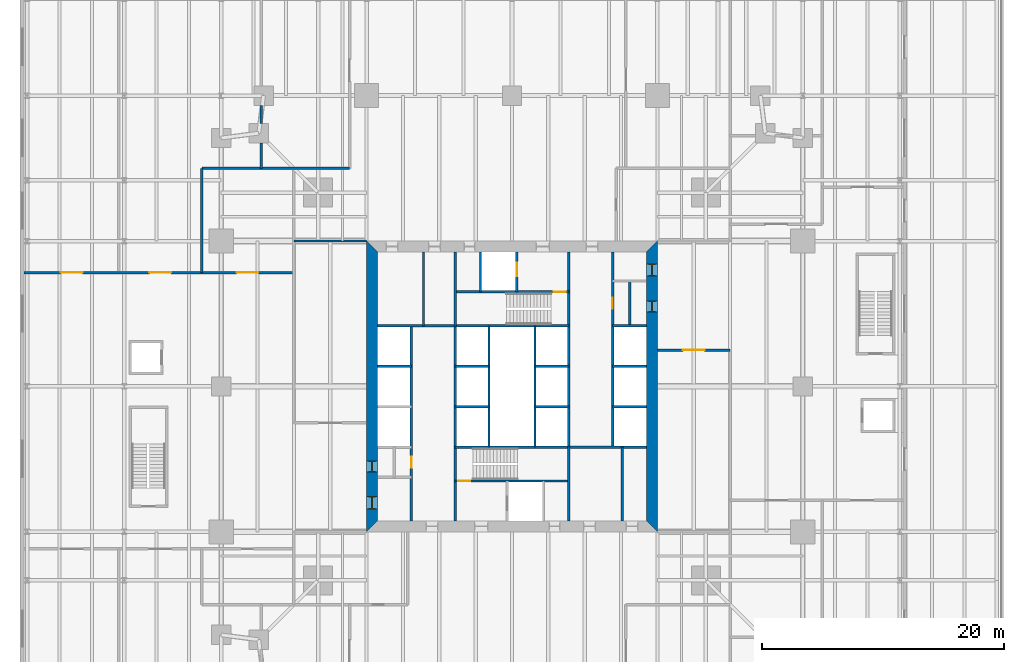
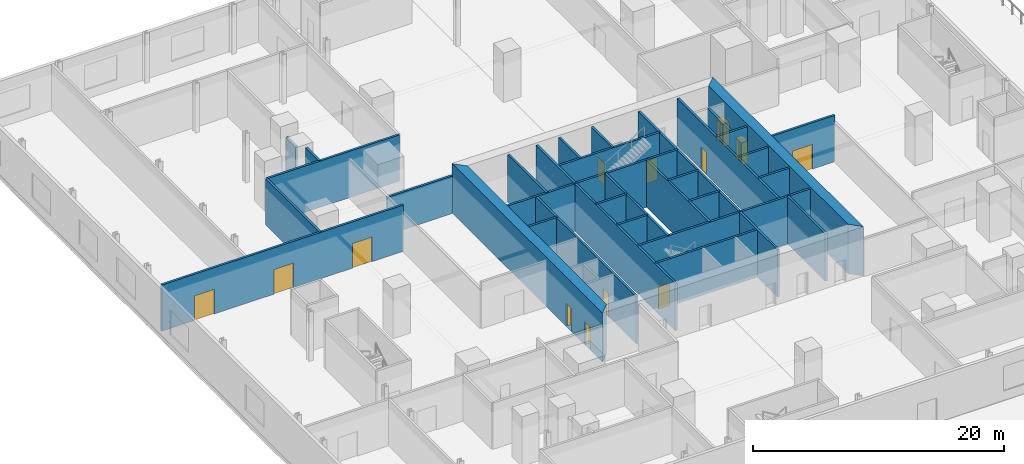
# One storey, part 12 of 18: 34 walls, 13 doors, 13 openings.
"""IFC4 building model written with IfcOpenShell, lengths in metres."""

from ifc_helpers import new_model, si_unit, direction, frame, frame_2d, origin, place, context, subcontext, project, spatial, polyline, rectangle, outline, extrude, material, layer, layer_set, type_object, element, fill, save


model = new_model("IFC4")

# Units and contexts
model_context = context("Model", 3, precision=1e-05, world=origin(), true_north=direction((0.0, 1.0)))
body_context = subcontext(model_context, "Body", "Model", "MODEL_VIEW")
ifc_project = project(units=[si_unit("LENGTHUNIT", "METRE"), si_unit("AREAUNIT", "SQUARE_METRE"), si_unit("VOLUMEUNIT", "CUBIC_METRE"), si_unit("PLANEANGLEUNIT", "RADIAN"), si_unit("MASSUNIT", "GRAM", prefix="KILO")], contexts=[model_context])

# Site, building, storey
site_placement = place(None, origin())
site = spatial("IfcSite", under=ifc_project, at=site_placement, CompositionType="ELEMENT")
building_placement = place(site_placement, origin())
building = spatial("IfcBuilding", under=site, at=building_placement, Name="Fenwick Lantern Interchange", CompositionType="ELEMENT")
storey_placement = place(building_placement, frame((0.0, 0.0, 11.800048828125)))
storey = spatial("IfcBuildingStorey", under=building, at=storey_placement, Name="L02", CompositionType="ELEMENT", Elevation=11.800048828125)

# Wall, opening, door
ifc_material_1 = material(Name="Concrete masonry ASTM C90 Grade N", Category="masonry")
ifc_layer_1 = layer(ifc_material_1, 0.199951171875)
ifc_layer_set_1 = layer_set([ifc_layer_1], Name="Concrete masonry ASTM C90 Grade N")
wall_type_1 = type_object("IfcWallType", Name="CORE PARTITION 200", PredefinedType="PARTITIONING", material=ifc_layer_set_1)
wall_1_placement = place(storey_placement, frame((16.699951171875, 13.89990234375, 0.0), z_axis=(0.0, 0.0, 1.0), x_axis=(0.0, 1.0, 0.0)))
wall_1 = element("IfcWall", 1, at=wall_1_placement, inside=storey, type_object=wall_type_1, Name="L02/W/CORES/a", PredefinedType="PARTITIONING", context=body_context, shape_type="SweptSolid", body=[
    extrude(rectangle(XDim=16.10009765625, YDim=0.199951171875, at=frame_2d((8.050048828125, 0.0))), origin(), (0.0, 0.0, 1.0), 4.599853515625),
])
opening_1_placement = place(wall_1_placement, frame((4.39990234375, 0.0, 0.0)))
opening_1 = element("IfcOpeningElement", 2, at=opening_1_placement, cuts=wall_1, Name="Opening L02-D013", PredefinedType="OPENING", context=body_context, shape_type="SweptSolid", body=[
    extrude(rectangle(XDim=0.89990234375, YDim=2.199951171875, at=frame_2d((0.449951171875, 1.10009765625))), frame((0.0, 0.10986328125, 0.0), z_axis=(0.0, -1.0, 0.0), x_axis=(1.0, 0.0, 0.0)), (0.0, 0.0, 1.0), 0.219970703125),
])
ifc_material_2 = material(Name="Steel door and frame", Category="steel")
door_type_1 = type_object("IfcDoorType", Name="SERVICE DOOR 900 X 2200", OperationType="SINGLE_SWING_LEFT", PredefinedType="DOOR", material=ifc_material_2)
door_1_placement = place(opening_1_placement, origin())
door_1 = element("IfcDoor", 3, at=door_1_placement, inside=storey, type_object=door_type_1, Name="Service door", OperationType="SINGLE_SWING_LEFT", OverallHeight=2.199951171875, OverallWidth=0.89990234375, PredefinedType="DOOR", context=body_context, shape_type="SweptSolid", body=[
    extrude(rectangle(XDim=0.89990234375, YDim=2.199951171875, at=frame_2d((0.449951171875, 1.10009765625))), frame((0.0, 0.02490234375, 0.0), z_axis=(0.0, -1.0, 0.0), x_axis=(1.0, 0.0, 0.0)), (0.0, 0.0, 1.0), 0.050048828125),
])
fill(opening_1, door_1)

# Walls
for number, where, z_axis, x_axis, name in (
    (4, (13.89990234375, 26.666748046875, 0.0), (0.0, 0.0, 1.0), (1.0, 0.0, 0.0), "L02/W/CORES/d2"),
    (5, (20.300048828125, 23.333251953125, 0.0), (0.0, 0.0, 1.0), (1.0, 0.0, 0.0), "L02/W/CORES/e1"),
    (6, (20.300048828125, 26.666748046875, 0.0), (0.0, 0.0, 1.0), (1.0, 0.0, 0.0), "L02/W/CORES/e2"),
):
    element("IfcWall", number, at=place(storey_placement, frame(where, z_axis=z_axis, x_axis=x_axis)), inside=storey, type_object=wall_type_1, Name=name, PredefinedType="PARTITIONING", context=body_context, shape_type="SweptSolid", body=[
        extrude(rectangle(XDim=2.800048828125, YDim=0.199951171875, at=frame_2d((1.39990234375, 0.0))), origin(), (0.0, 0.0, 1.0), 4.599853515625),
    ])
wall_2_placement = place(storey_placement, frame((23.10009765625, 20.0, 0.0), z_axis=(0.0, 0.0, 1.0), x_axis=(0.0, 1.0, 0.0)))
element("IfcWall", 7, at=wall_2_placement, inside=storey, type_object=wall_type_1, Name="L02/W/CORES/e3", PredefinedType="PARTITIONING", context=body_context, shape_type="SweptSolid", body=[
    extrude(rectangle(XDim=10.0, YDim=0.199951171875, at=frame_2d((5.0, 0.0))), origin(), (0.0, 0.0, 1.0), 4.599853515625),
])
wall_3_placement = place(storey_placement, frame((34.10009765625, 13.89990234375, 0.0), z_axis=(0.0, 0.0, 1.0), x_axis=(0.0, 1.0, 0.0)))
element("IfcWall", 8, at=wall_3_placement, inside=storey, type_object=wall_type_1, Name="L02/W/CORES/i2", PredefinedType="PARTITIONING", context=body_context, shape_type="SweptSolid", body=[
    extrude(rectangle(XDim=6.10009765625, YDim=0.199951171875, at=frame_2d((3.050048828125, 0.0))), origin(), (0.0, 0.0, 1.0), 4.599853515625),
])

# Wall, opening, door
wall_4_placement = place(storey_placement, frame((33.300048828125, 36.10009765625, 0.0), z_axis=(0.0, 0.0, 1.0), x_axis=(0.0, -1.0, 0.0)))
wall_4 = element("IfcWall", 9, at=wall_4_placement, inside=storey, type_object=wall_type_1, Name="L02/W/COREN/a", PredefinedType="PARTITIONING", context=body_context, shape_type="SweptSolid", body=[
    extrude(rectangle(XDim=16.10009765625, YDim=0.199951171875, at=frame_2d((8.050048828125, 0.0))), origin(), (0.0, 0.0, 1.0), 4.599853515625),
])
opening_2_placement = place(wall_4_placement, frame((3.800048828125, 0.0, 0.0)))
opening_2 = element("IfcOpeningElement", 10, at=opening_2_placement, cuts=wall_4, Name="Opening L02-D022", PredefinedType="OPENING", context=body_context, shape_type="SweptSolid", body=[
    extrude(rectangle(XDim=0.89990234375, YDim=2.199951171875, at=frame_2d((0.449951171875, 1.10009765625))), frame((0.0, 0.10986328125, 0.0), z_axis=(0.0, -1.0, 0.0), x_axis=(1.0, 0.0, 0.0)), (0.0, 0.0, 1.0), 0.219970703125),
])
door_2_placement = place(opening_2_placement, origin())
door_2 = element("IfcDoor", 11, at=door_2_placement, inside=storey, type_object=door_type_1, Name="Service door", OperationType="SINGLE_SWING_LEFT", OverallHeight=2.199951171875, OverallWidth=0.89990234375, PredefinedType="DOOR", context=body_context, shape_type="SweptSolid", body=[
    extrude(rectangle(XDim=0.89990234375, YDim=2.199951171875, at=frame_2d((0.449951171875, 1.10009765625))), frame((0.0, 0.02490234375, 0.0), z_axis=(0.0, -1.0, 0.0), x_axis=(1.0, 0.0, 0.0)), (0.0, 0.0, 1.0), 0.050048828125),
])
fill(opening_2, door_2)

# Walls
for number, where, z_axis, x_axis, name in (
    (12, (36.10009765625, 30.0, 0.0), (0.0, 0.0, 1.0), (-1.0, 0.0, 0.0), "L02/W/COREN/c2"),
    (13, (36.10009765625, 26.666748046875, 0.0), (0.0, 0.0, 1.0), (-1.0, 0.0, 0.0), "L02/W/COREN/d1"),
    (14, (36.10009765625, 23.333251953125, 0.0), (0.0, 0.0, 1.0), (-1.0, 0.0, 0.0), "L02/W/COREN/d2"),
    (15, (29.699951171875, 26.666748046875, 0.0), (0.0, 0.0, 1.0), (-1.0, 0.0, 0.0), "L02/W/COREN/e1"),
    (16, (29.699951171875, 23.333251953125, 0.0), (0.0, 0.0, 1.0), (-1.0, 0.0, 0.0), "L02/W/COREN/e2"),
):
    element("IfcWall", number, at=place(storey_placement, frame(where, z_axis=z_axis, x_axis=x_axis)), inside=storey, type_object=wall_type_1, Name=name, PredefinedType="PARTITIONING", context=body_context, shape_type="SweptSolid", body=[
        extrude(rectangle(XDim=2.800048828125, YDim=0.199951171875, at=frame_2d((1.39990234375, 0.0))), origin(), (0.0, 0.0, 1.0), 4.599853515625),
    ])
wall_5_placement = place(storey_placement, frame((26.89990234375, 30.0, 0.0), z_axis=(0.0, 0.0, 1.0), x_axis=(0.0, -1.0, 0.0)))
element("IfcWall", 17, at=wall_5_placement, inside=storey, type_object=wall_type_1, Name="L02/W/COREN/e3", PredefinedType="PARTITIONING", context=body_context, shape_type="SweptSolid", body=[
    extrude(rectangle(XDim=10.0, YDim=0.199951171875, at=frame_2d((5.0, 0.0))), origin(), (0.0, 0.0, 1.0), 4.599853515625),
])

# Wall, opening, door
wall_6_placement = place(storey_placement, frame((25.39990234375, 36.10009765625, 0.0), z_axis=(0.0, 0.0, 1.0), x_axis=(0.0, -1.0, 0.0)))
wall_6 = element("IfcWall", 18, at=wall_6_placement, inside=storey, type_object=wall_type_1, Name="L02/W/COREN/h1", PredefinedType="PARTITIONING", context=body_context, shape_type="SweptSolid", body=[
    extrude(rectangle(XDim=3.300048828125, YDim=0.199951171875, at=frame_2d((1.64990234375, 0.0))), origin(), (0.0, 0.0, 1.0), 4.599853515625),
])
opening_3_placement = place(wall_6_placement, frame((0.89990234375, 0.0, 0.0)))
opening_3 = element("IfcOpeningElement", 19, at=opening_3_placement, cuts=wall_6, Name="Opening LD-FL2", PredefinedType="OPENING", context=body_context, shape_type="SweptSolid", body=[
    extrude(rectangle(XDim=1.10009765625, YDim=2.199951171875, at=frame_2d((0.550048828125, 1.10009765625))), frame((0.0, 0.10986328125, 0.0), z_axis=(0.0, -1.0, 0.0), x_axis=(1.0, 0.0, 0.0)), (0.0, 0.0, 1.0), 0.219970703125),
])
door_type_2 = type_object("IfcDoorType", Name="LIFT LANDING DOOR 1100 X 2200", OperationType="DOUBLE_DOOR_SLIDING", PredefinedType="DOOR", material=ifc_material_2)
door_3_placement = place(opening_3_placement, origin())
door_3 = element("IfcDoor", 20, at=door_3_placement, inside=storey, type_object=door_type_2, Name="Lift landing door FL2", OperationType="DOUBLE_DOOR_SLIDING", OverallHeight=2.199951171875, OverallWidth=1.10009765625, PredefinedType="DOOR", context=body_context, shape_type="SweptSolid", body=[
    extrude(rectangle(XDim=1.10009765625, YDim=2.199951171875, at=frame_2d((0.550048828125, 1.10009765625))), frame((0.0, 0.02490234375, 0.0), z_axis=(0.0, -1.0, 0.0), x_axis=(1.0, 0.0, 0.0)), (0.0, 0.0, 1.0), 0.050048828125),
])
fill(opening_3, door_3)

# Walls
wall_7_placement = place(storey_placement, frame((22.39990234375, 36.10009765625, 0.0), z_axis=(0.0, 0.0, 1.0), x_axis=(0.0, -1.0, 0.0)))
element("IfcWall", 21, at=wall_7_placement, inside=storey, type_object=wall_type_1, Name="L02/W/COREN/h2", PredefinedType="PARTITIONING", context=body_context, shape_type="SweptSolid", body=[
    extrude(rectangle(XDim=3.300048828125, YDim=0.199951171875, at=frame_2d((1.64990234375, 0.0))), origin(), (0.0, 0.0, 1.0), 4.599853515625),
])
wall_8_placement = place(storey_placement, frame((17.699951171875, 36.10009765625, 0.0), z_axis=(0.0, 0.0, 1.0), x_axis=(0.0, -1.0, 0.0)))
element("IfcWall", 22, at=wall_8_placement, inside=storey, type_object=wall_type_1, Name="L02/W/COREN/i2", PredefinedType="PARTITIONING", context=body_context, shape_type="SweptSolid", body=[
    extrude(rectangle(XDim=6.10009765625, YDim=0.199951171875, at=frame_2d((3.050048828125, 0.0))), origin(), (0.0, 0.0, 1.0), 4.599853515625),
])
wall_9_placement = place(storey_placement, frame((34.699951171875, 33.699951171875, 0.0), z_axis=(0.0, 0.0, 1.0), x_axis=(0.0, -1.0, 0.0)))
element("IfcWall", 23, at=wall_9_placement, inside=storey, type_object=wall_type_1, Name="L02/W/COREN/px", PredefinedType="PARTITIONING", context=body_context, shape_type="SweptSolid", body=[
    extrude(rectangle(XDim=3.699951171875, YDim=0.199951171875, at=frame_2d((1.85009765625, 0.0))), origin(), (0.0, 0.0, 1.0), 4.599853515625),
])

# Wall, openings, doors
ifc_material_3 = material(Name="Concrete f'c 70 MPa", Category="concrete")
ifc_layer_2 = layer(ifc_material_3, 0.89990234375)
ifc_layer_set_2 = layer_set([ifc_layer_2], Name="CORE WALL 900")
wall_type_2 = type_object("IfcWallType", Name="CORE WALL 900", PredefinedType="SHEAR", material=ifc_layer_set_2)
wall_10_placement = place(storey_placement, frame((36.550048828125, 13.89990234375, 0.0), z_axis=(0.0, 0.0, 1.0), x_axis=(0.0, 1.0, 0.0)))
wall_10 = element("IfcWall", 24, at=wall_10_placement, inside=storey, type_object=wall_type_2, Name="L02/CORE/E", PredefinedType="SHEAR", context=body_context, shape_type="SweptSolid", body=[
    extrude(outline(polyline([(-0.89990234375, -0.449951171875), (23.10009765625, -0.449951171875), (22.199951171875, 0.449951171875), (0.0, 0.449951171875), (-0.89990234375, -0.449951171875)])), origin(), (0.0, 0.0, 1.0), 4.800048828125),
])
opening_4_placement = place(wall_10_placement, frame((20.199951171875, 0.0, 0.0)))
opening_4 = element("IfcOpeningElement", 25, at=opening_4_placement, cuts=wall_10, Name="Opening L02-D021", PredefinedType="OPENING", context=body_context, shape_type="SweptSolid", body=[
    extrude(rectangle(XDim=1.0, YDim=2.199951171875, at=frame_2d((0.5, 1.10009765625))), frame((0.0, 0.4599609375, 0.0), z_axis=(0.0, -1.0, 0.0), x_axis=(1.0, 0.0, 0.0)), (0.0, 0.0, 1.0), 0.919921875),
])
opening_5_placement = place(wall_10_placement, frame((17.25, 0.0, 0.0)))
opening_5 = element("IfcOpeningElement", 26, at=opening_5_placement, cuts=wall_10, Name="Opening L02-D023", PredefinedType="OPENING", context=body_context, shape_type="SweptSolid", body=[
    extrude(rectangle(XDim=0.89990234375, YDim=2.199951171875, at=frame_2d((0.449951171875, 1.10009765625))), frame((0.0, 0.4599609375, 0.0), z_axis=(0.0, -1.0, 0.0), x_axis=(1.0, 0.0, 0.0)), (0.0, 0.0, 1.0), 0.919921875),
])
door_type_3 = type_object("IfcDoorType", Name="SERVICE DOOR 1000 X 2200", OperationType="SINGLE_SWING_LEFT", PredefinedType="DOOR", material=ifc_material_2)
door_4_placement = place(opening_4_placement, origin())
door_4 = element("IfcDoor", 27, at=door_4_placement, inside=storey, type_object=door_type_3, Name="Service door", OperationType="SINGLE_SWING_LEFT", OverallHeight=2.199951171875, OverallWidth=1.0, PredefinedType="DOOR", context=body_context, shape_type="SweptSolid", body=[
    extrude(rectangle(XDim=1.0, YDim=2.199951171875, at=frame_2d((0.5, 1.10009765625))), frame((0.0, 0.02490234375, 0.0), z_axis=(0.0, -1.0, 0.0), x_axis=(1.0, 0.0, 0.0)), (0.0, 0.0, 1.0), 0.050048828125),
    extrude(outline(polyline([(0.0, 0.0), (0.0400390625, 0.0), (0.0400390625, 2.159912109375), (0.9599609375, 2.159912109375), (0.9599609375, 0.0), (1.0, 0.0), (1.0, 2.199951171875), (0.0, 2.199951171875), (0.0, 0.0)])), frame((0.0, 0.300048828125, 0.0), z_axis=(0.0, -1.0, 0.0), x_axis=(1.0, 0.0, 0.0)), (0.0, 0.0, 1.0), 0.60009765625),
])
fill(opening_4, door_4)
door_5_placement = place(opening_5_placement, origin())
door_5 = element("IfcDoor", 28, at=door_5_placement, inside=storey, type_object=door_type_1, Name="Service door", OperationType="SINGLE_SWING_LEFT", OverallHeight=2.199951171875, OverallWidth=0.89990234375, PredefinedType="DOOR", context=body_context, shape_type="SweptSolid", body=[
    extrude(rectangle(XDim=0.89990234375, YDim=2.199951171875, at=frame_2d((0.449951171875, 1.10009765625))), frame((0.0, 0.02490234375, 0.0), z_axis=(0.0, -1.0, 0.0), x_axis=(1.0, 0.0, 0.0)), (0.0, 0.0, 1.0), 0.050048828125),
    extrude(outline(polyline([(0.0, 0.0), (0.0400390625, 0.0), (0.0400390625, 2.159912109375), (0.85986328125, 2.159912109375), (0.85986328125, 0.0), (0.89990234375, 0.0), (0.89990234375, 2.199951171875), (0.0, 2.199951171875), (0.0, 0.0)])), frame((0.0, 0.300048828125, 0.0), z_axis=(0.0, -1.0, 0.0), x_axis=(1.0, 0.0, 0.0)), (0.0, 0.0, 1.0), 0.60009765625),
])
fill(opening_5, door_5)

wall_11_placement = place(storey_placement, frame((13.449951171875, 36.10009765625, 0.0), z_axis=(0.0, 0.0, 1.0), x_axis=(0.0, -1.0, 0.0)))
wall_11 = element("IfcWall", 29, at=wall_11_placement, inside=storey, type_object=wall_type_2, Name="L02/CORE/W", PredefinedType="SHEAR", context=body_context, shape_type="SweptSolid", body=[
    extrude(outline(polyline([(-0.89990234375, -0.449951171875), (23.10009765625, -0.449951171875), (22.199951171875, 0.449951171875), (0.0, 0.449951171875), (-0.89990234375, -0.449951171875)])), origin(), (0.0, 0.0, 1.0), 4.800048828125),
])
opening_6_placement = place(wall_11_placement, frame((20.199951171875, 0.0, 0.0)))
opening_6 = element("IfcOpeningElement", 30, at=opening_6_placement, cuts=wall_11, Name="Opening L02-D012", PredefinedType="OPENING", context=body_context, shape_type="SweptSolid", body=[
    extrude(rectangle(XDim=1.0, YDim=2.199951171875, at=frame_2d((0.5, 1.10009765625))), frame((0.0, 0.4599609375, 0.0), z_axis=(0.0, -1.0, 0.0), x_axis=(1.0, 0.0, 0.0)), (0.0, 0.0, 1.0), 0.919921875),
])
opening_7_placement = place(wall_11_placement, frame((17.25, 0.0, 0.0)))
opening_7 = element("IfcOpeningElement", 31, at=opening_7_placement, cuts=wall_11, Name="Opening L02-D014", PredefinedType="OPENING", context=body_context, shape_type="SweptSolid", body=[
    extrude(rectangle(XDim=0.89990234375, YDim=2.199951171875, at=frame_2d((0.449951171875, 1.10009765625))), frame((0.0, 0.4599609375, 0.0), z_axis=(0.0, -1.0, 0.0), x_axis=(1.0, 0.0, 0.0)), (0.0, 0.0, 1.0), 0.919921875),
])
door_6_placement = place(opening_7_placement, origin())
door_6 = element("IfcDoor", 32, at=door_6_placement, inside=storey, type_object=door_type_1, Name="Service door", OperationType="SINGLE_SWING_RIGHT", OverallHeight=2.199951171875, OverallWidth=0.89990234375, PredefinedType="DOOR", context=body_context, shape_type="SweptSolid", body=[
    extrude(rectangle(XDim=0.89990234375, YDim=2.199951171875, at=frame_2d((0.449951171875, 1.10009765625))), frame((0.0, 0.02490234375, 0.0), z_axis=(0.0, -1.0, 0.0), x_axis=(1.0, 0.0, 0.0)), (0.0, 0.0, 1.0), 0.050048828125),
    extrude(outline(polyline([(0.0, 0.0), (0.0400390625, 0.0), (0.0400390625, 2.159912109375), (0.85986328125, 2.159912109375), (0.85986328125, 0.0), (0.89990234375, 0.0), (0.89990234375, 2.199951171875), (0.0, 2.199951171875), (0.0, 0.0)])), frame((0.0, 0.300048828125, 0.0), z_axis=(0.0, -1.0, 0.0), x_axis=(1.0, 0.0, 0.0)), (0.0, 0.0, 1.0), 0.60009765625),
])
fill(opening_7, door_6)
ifc_material_4 = material(Name="Hardwood door and steel frame", Category="steel")
door_type_4 = type_object("IfcDoorType", Name="WC DOOR 1000 X 2200", OperationType="SINGLE_SWING_LEFT", PredefinedType="DOOR", material=ifc_material_4)
door_7_placement = place(opening_6_placement, origin())
door_7 = element("IfcDoor", 33, at=door_7_placement, inside=storey, type_object=door_type_4, Name="Wc door", OperationType="SINGLE_SWING_RIGHT", OverallHeight=2.199951171875, OverallWidth=1.0, PredefinedType="DOOR", context=body_context, shape_type="SweptSolid", body=[
    extrude(rectangle(XDim=1.0, YDim=2.199951171875, at=frame_2d((0.5, 1.10009765625))), frame((0.0, 0.02490234375, 0.0), z_axis=(0.0, -1.0, 0.0), x_axis=(1.0, 0.0, 0.0)), (0.0, 0.0, 1.0), 0.050048828125),
    extrude(outline(polyline([(0.0, 0.0), (0.0400390625, 0.0), (0.0400390625, 2.159912109375), (0.9599609375, 2.159912109375), (0.9599609375, 0.0), (1.0, 0.0), (1.0, 2.199951171875), (0.0, 2.199951171875), (0.0, 0.0)])), frame((0.0, 0.300048828125, 0.0), z_axis=(0.0, -1.0, 0.0), x_axis=(1.0, 0.0, 0.0)), (0.0, 0.0, 1.0), 0.60009765625),
])
fill(opening_6, door_7)

# Walls
ifc_material_5 = material(Name="Gypsum board on steel studs, 1 hour", Category="steel")
ifc_layer_3 = layer(ifc_material_5, 0.199951171875)
ifc_layer_set_3 = layer_set([ifc_layer_3], Name="ROOM WALL 200")
wall_type_3 = type_object("IfcWallType", Name="ROOM WALL 200", PredefinedType="PARTITIONING", material=ifc_layer_set_3)
wall_12_placement = place(storey_placement, frame((-0.60009765625, 34.39990234375, 0.0), z_axis=(0.0, 0.0, 1.0), x_axis=(0.0, 1.0, 0.0)))
element("IfcWall", 34, at=wall_12_placement, inside=storey, type_object=wall_type_3, Name="L02/W/POD/X-0.6-3", PredefinedType="PARTITIONING", context=body_context, shape_type="SweptSolid", body=[
    extrude(rectangle(XDim=8.60009765625, YDim=0.199951171875, at=frame_2d((4.300048828125, 0.0))), origin(), (0.0, 0.0, 1.0), 4.5),
])
wall_13_placement = place(storey_placement, frame((4.300048828125, 43.0, 0.0), z_axis=(0.0, 0.0, 1.0), x_axis=(0.0, 1.0, 0.0)))
element("IfcWall", 35, at=wall_13_placement, inside=storey, type_object=wall_type_3, Name="L02/W/POD/X4.3-4", PredefinedType="PARTITIONING", context=body_context, shape_type="SweptSolid", body=[
    extrude(rectangle(XDim=2.10009765625, YDim=0.199951171875, at=frame_2d((1.050048828125, 0.0))), origin(), (0.0, 0.0, 1.0), 4.5),
])
wall_14_placement = place(storey_placement, frame((4.300048828125, 46.699951171875, 0.0), z_axis=(0.0, 0.0, 1.0), x_axis=(0.0, 1.0, 0.0)))
element("IfcWall", 36, at=wall_14_placement, inside=storey, type_object=wall_type_3, Name="L02/W/POD/X4.3-5", PredefinedType="PARTITIONING", context=body_context, shape_type="SweptSolid", body=[
    extrude(rectangle(XDim=1.5, YDim=0.199951171875, at=frame_2d((0.75, 0.0))), origin(), (0.0, 0.0, 1.0), 3.64990234375),
])

# Wall, opening, door
wall_15_placement = place(storey_placement, frame((37.0, 28.0, 0.0), z_axis=(0.0, 0.0, 1.0), x_axis=(1.0, 0.0, 0.0)))
wall_15 = element("IfcWall", 37, at=wall_15_placement, inside=storey, type_object=wall_type_3, Name="L02/W/POD/Y28-1", PredefinedType="PARTITIONING", context=body_context, shape_type="SweptSolid", body=[
    extrude(rectangle(XDim=6.0, YDim=0.199951171875, at=frame_2d((3.0, 0.0))), origin(), (0.0, 0.0, 1.0), 4.5),
])
opening_8_placement = place(wall_15_placement, frame((2.099853515625, 0.0, 0.0)))
opening_8 = element("IfcOpeningElement", 38, at=opening_8_placement, cuts=wall_15, Name="Opening L02-D047", PredefinedType="OPENING", context=body_context, shape_type="SweptSolid", body=[
    extrude(rectangle(XDim=1.800048828125, YDim=2.39990234375, at=frame_2d((0.89990234375, 1.199951171875))), frame((0.0, 0.10986328125, 0.0), z_axis=(0.0, -1.0, 0.0), x_axis=(1.0, 0.0, 0.0)), (0.0, 0.0, 1.0), 0.219970703125),
])
door_type_5 = type_object("IfcDoorType", Name="ROOM DOOR PAIR 1800 X 2400", OperationType="DOUBLE_DOOR_SINGLE_SWING", PredefinedType="DOOR", material=ifc_material_2)
door_8_placement = place(opening_8_placement, origin())
door_8 = element("IfcDoor", 39, at=door_8_placement, inside=storey, type_object=door_type_5, Name="Room door pair", OperationType="DOUBLE_DOOR_SINGLE_SWING", OverallHeight=2.39990234375, OverallWidth=1.800048828125, PredefinedType="DOOR", context=body_context, shape_type="SweptSolid", body=[
    extrude(rectangle(XDim=1.800048828125, YDim=2.39990234375, at=frame_2d((0.89990234375, 1.199951171875))), frame((0.0, 0.02490234375, 0.0), z_axis=(0.0, -1.0, 0.0), x_axis=(1.0, 0.0, 0.0)), (0.0, 0.0, 1.0), 0.050048828125),
])
fill(opening_8, door_8)

# Wall, openings, doors
wall_16_placement = place(storey_placement, frame((-15.25, 34.39990234375, 0.0), z_axis=(0.0, 0.0, 1.0), x_axis=(1.0, 0.0, 0.0)))
wall_16 = element("IfcWall", 40, at=wall_16_placement, inside=storey, type_object=wall_type_3, Name="L02/W/POD/Y34.4-1", PredefinedType="PARTITIONING", context=body_context, shape_type="SweptSolid", body=[
    extrude(rectangle(XDim=22.25, YDim=0.199951171875, at=frame_2d((11.125, 0.0))), origin(), (0.0, 0.0, 1.0), 4.5),
])
opening_9_placement = place(wall_16_placement, frame((17.52490234375, 0.0, 0.0)))
opening_9 = element("IfcOpeningElement", 41, at=opening_9_placement, cuts=wall_16, Name="Opening L02-D041", PredefinedType="OPENING", context=body_context, shape_type="SweptSolid", body=[
    extrude(rectangle(XDim=1.800048828125, YDim=2.39990234375, at=frame_2d((0.89990234375, 1.199951171875))), frame((0.0, 0.10986328125, 0.0), z_axis=(0.0, -1.0, 0.0), x_axis=(1.0, 0.0, 0.0)), (0.0, 0.0, 1.0), 0.219970703125),
])
opening_10_placement = place(wall_16_placement, frame((10.324951171875, 0.0, 0.0)))
opening_10 = element("IfcOpeningElement", 42, at=opening_10_placement, cuts=wall_16, Name="Opening L02-D042", PredefinedType="OPENING", context=body_context, shape_type="SweptSolid", body=[
    extrude(rectangle(XDim=1.800048828125, YDim=2.39990234375, at=frame_2d((0.89990234375, 1.199951171875))), frame((0.0, 0.10986328125, 0.0), z_axis=(0.0, -1.0, 0.0), x_axis=(1.0, 0.0, 0.0)), (0.0, 0.0, 1.0), 0.219970703125),
])
opening_11_placement = place(wall_16_placement, frame((3.02490234375, 0.0, 0.0)))
opening_11 = element("IfcOpeningElement", 43, at=opening_11_placement, cuts=wall_16, Name="Opening L02-D043", PredefinedType="OPENING", context=body_context, shape_type="SweptSolid", body=[
    extrude(rectangle(XDim=1.800048828125, YDim=2.39990234375, at=frame_2d((0.89990234375, 1.199951171875))), frame((0.0, 0.10986328125, 0.0), z_axis=(0.0, -1.0, 0.0), x_axis=(1.0, 0.0, 0.0)), (0.0, 0.0, 1.0), 0.219970703125),
])
door_9_placement = place(opening_9_placement, frame((1.800048828125, 0.0, 0.0), z_axis=(0.0, 0.0, 1.0), x_axis=(-1.0, 0.0, 0.0)))
door_9 = element("IfcDoor", 44, at=door_9_placement, inside=storey, type_object=door_type_5, Name="Room door pair", OperationType="DOUBLE_DOOR_SINGLE_SWING", OverallHeight=2.39990234375, OverallWidth=1.800048828125, PredefinedType="DOOR", context=body_context, shape_type="SweptSolid", body=[
    extrude(rectangle(XDim=1.800048828125, YDim=2.39990234375, at=frame_2d((0.89990234375, 1.199951171875))), frame((0.0, 0.02490234375, 0.0), z_axis=(0.0, -1.0, 0.0), x_axis=(1.0, 0.0, 0.0)), (0.0, 0.0, 1.0), 0.050048828125),
])
fill(opening_9, door_9)
door_10_placement = place(opening_10_placement, frame((1.800048828125, 0.0, 0.0), z_axis=(0.0, 0.0, 1.0), x_axis=(-1.0, 0.0, 0.0)))
door_10 = element("IfcDoor", 45, at=door_10_placement, inside=storey, type_object=door_type_5, Name="Room door pair", OperationType="DOUBLE_DOOR_SINGLE_SWING", OverallHeight=2.39990234375, OverallWidth=1.800048828125, PredefinedType="DOOR", context=body_context, shape_type="SweptSolid", body=[
    extrude(rectangle(XDim=1.800048828125, YDim=2.39990234375, at=frame_2d((0.89990234375, 1.199951171875))), frame((0.0, 0.02490234375, 0.0), z_axis=(0.0, -1.0, 0.0), x_axis=(1.0, 0.0, 0.0)), (0.0, 0.0, 1.0), 0.050048828125),
])
fill(opening_10, door_10)
door_11_placement = place(opening_11_placement, frame((1.800048828125, 0.0, 0.0), z_axis=(0.0, 0.0, 1.0), x_axis=(-1.0, 0.0, 0.0)))
door_11 = element("IfcDoor", 46, at=door_11_placement, inside=storey, type_object=door_type_5, Name="Room door pair", OperationType="DOUBLE_DOOR_SINGLE_SWING", OverallHeight=2.39990234375, OverallWidth=1.800048828125, PredefinedType="DOOR", context=body_context, shape_type="SweptSolid", body=[
    extrude(rectangle(XDim=1.800048828125, YDim=2.39990234375, at=frame_2d((0.89990234375, 1.199951171875))), frame((0.0, 0.02490234375, 0.0), z_axis=(0.0, -1.0, 0.0), x_axis=(1.0, 0.0, 0.0)), (0.0, 0.0, 1.0), 0.050048828125),
])
fill(opening_11, door_11)

# Walls
wall_17_placement = place(storey_placement, frame((7.0, 37.0, 0.0), z_axis=(0.0, 0.0, 1.0), x_axis=(1.0, 0.0, 0.0)))
element("IfcWall", 47, at=wall_17_placement, inside=storey, type_object=wall_type_3, Name="L02/W/POD/Y37-1", PredefinedType="PARTITIONING", context=body_context, shape_type="SweptSolid", body=[
    extrude(rectangle(XDim=6.0, YDim=0.199951171875, at=frame_2d((3.0, 0.0))), origin(), (0.0, 0.0, 1.0), 3.652587890625),
])
wall_18_placement = place(storey_placement, frame((-0.60009765625, 43.0, 0.0), z_axis=(0.0, 0.0, 1.0), x_axis=(1.0, 0.0, 0.0)))
element("IfcWall", 48, at=wall_18_placement, inside=storey, type_object=wall_type_3, Name="L02/W/POD/Y43-1", PredefinedType="PARTITIONING", context=body_context, shape_type="SweptSolid", body=[
    extrude(rectangle(XDim=12.2001953125, YDim=0.199951171875, at=frame_2d((6.10009765625, 0.0))), origin(), (0.0, 0.0, 1.0), 4.5),
])
ifc_material_6 = material(Name="Concrete f'c 45 MPa", Category="concrete")
ifc_layer_4 = layer(ifc_material_6, 0.199951171875)
ifc_layer_set_4 = layer_set([ifc_layer_4], Name="STAIR CORE WALL 200")
wall_type_4 = type_object("IfcWallType", Name="STAIR CORE WALL 200", PredefinedType="SOLIDWALL", material=ifc_layer_set_4)
wall_19_placement = place(storey_placement, frame((20.300048828125, 13.89990234375, 0.0), z_axis=(0.0, 0.0, 1.0), x_axis=(0.0, 1.0, 0.0)))
element("IfcWall", 49, at=wall_19_placement, inside=storey, type_object=wall_type_4, Name="L02/W/CORES/b", PredefinedType="SOLIDWALL", context=body_context, shape_type="SweptSolid", body=[
    extrude(rectangle(XDim=16.10009765625, YDim=0.199951171875, at=frame_2d((8.050048828125, 0.0))), origin(), (0.0, 0.0, 1.0), 4.599853515625),
])

# Wall, opening, door
wall_20_placement = place(storey_placement, frame((20.300048828125, 17.199951171875, 0.0), z_axis=(0.0, 0.0, 1.0), x_axis=(1.0, 0.0, 0.0)))
wall_20 = element("IfcWall", 50, at=wall_20_placement, inside=storey, type_object=wall_type_4, Name="L02/W/CORES/g1", PredefinedType="SOLIDWALL", context=body_context, shape_type="SweptSolid", body=[
    extrude(rectangle(XDim=9.39990234375, YDim=0.199951171875, at=frame_2d((4.699951171875, 0.0))), origin(), (0.0, 0.0, 1.0), 4.599853515625),
])
opening_12_placement = place(wall_20_placement, frame((0.25, 0.0, 0.0)))
opening_12 = element("IfcOpeningElement", 51, at=opening_12_placement, cuts=wall_20, Name="Opening L02-D008", PredefinedType="OPENING", context=body_context, shape_type="SweptSolid", body=[
    extrude(rectangle(XDim=1.0, YDim=2.199951171875, at=frame_2d((0.5, 1.10009765625))), frame((0.0, 0.10986328125, 0.0), z_axis=(0.0, -1.0, 0.0), x_axis=(1.0, 0.0, 0.0)), (0.0, 0.0, 1.0), 0.219970703125),
])
door_type_6 = type_object("IfcDoorType", Name="STAIR DOOR 1000 X 2200", OperationType="SINGLE_SWING_LEFT", PredefinedType="DOOR", material=ifc_material_2)
door_12_placement = place(opening_12_placement, origin())
door_12 = element("IfcDoor", 52, at=door_12_placement, inside=storey, type_object=door_type_6, Name="Stair door", OperationType="SINGLE_SWING_LEFT", OverallHeight=2.199951171875, OverallWidth=1.0, PredefinedType="DOOR", context=body_context, shape_type="SweptSolid", body=[
    extrude(rectangle(XDim=1.0, YDim=2.199951171875, at=frame_2d((0.5, 1.10009765625))), frame((0.0, 0.02490234375, 0.0), z_axis=(0.0, -1.0, 0.0), x_axis=(1.0, 0.0, 0.0)), (0.0, 0.0, 1.0), 0.050048828125),
])
fill(opening_12, door_12)

# Walls
wall_21_placement = place(storey_placement, frame((20.300048828125, 20.0, 0.0), z_axis=(0.0, 0.0, 1.0), x_axis=(1.0, 0.0, 0.0)))
element("IfcWall", 53, at=wall_21_placement, inside=storey, type_object=wall_type_4, Name="L02/W/CORES/g2", PredefinedType="SOLIDWALL", context=body_context, shape_type="SweptSolid", body=[
    extrude(rectangle(XDim=15.800048828125, YDim=0.199951171875, at=frame_2d((7.89990234375, 0.0))), origin(), (0.0, 0.0, 1.0), 4.599853515625),
])
wall_22_placement = place(storey_placement, frame((29.699951171875, 13.89990234375, 0.0), z_axis=(0.0, 0.0, 1.0), x_axis=(0.0, 1.0, 0.0)))
element("IfcWall", 54, at=wall_22_placement, inside=storey, type_object=wall_type_4, Name="L02/W/CORES/i1", PredefinedType="SOLIDWALL", context=body_context, shape_type="SweptSolid", body=[
    extrude(rectangle(XDim=6.10009765625, YDim=0.199951171875, at=frame_2d((3.050048828125, 0.0))), origin(), (0.0, 0.0, 1.0), 4.599853515625),
])
wall_23_placement = place(storey_placement, frame((29.699951171875, 36.10009765625, 0.0), z_axis=(0.0, 0.0, 1.0), x_axis=(0.0, -1.0, 0.0)))
element("IfcWall", 55, at=wall_23_placement, inside=storey, type_object=wall_type_4, Name="L02/W/COREN/b", PredefinedType="SOLIDWALL", context=body_context, shape_type="SweptSolid", body=[
    extrude(rectangle(XDim=16.10009765625, YDim=0.199951171875, at=frame_2d((8.050048828125, 0.0))), origin(), (0.0, 0.0, 1.0), 4.599853515625),
])

# Wall, opening, door
wall_24_placement = place(storey_placement, frame((29.699951171875, 32.800048828125, 0.0), z_axis=(0.0, 0.0, 1.0), x_axis=(-1.0, 0.0, 0.0)))
wall_24 = element("IfcWall", 56, at=wall_24_placement, inside=storey, type_object=wall_type_4, Name="L02/W/COREN/g1", PredefinedType="SOLIDWALL", context=body_context, shape_type="SweptSolid", body=[
    extrude(rectangle(XDim=9.39990234375, YDim=0.199951171875, at=frame_2d((4.699951171875, 0.0))), origin(), (0.0, 0.0, 1.0), 4.599853515625),
])
opening_13_placement = place(wall_24_placement, frame((0.25, 0.0, 0.0)))
opening_13 = element("IfcOpeningElement", 57, at=opening_13_placement, cuts=wall_24, Name="Opening L02-D017", PredefinedType="OPENING", context=body_context, shape_type="SweptSolid", body=[
    extrude(rectangle(XDim=1.0, YDim=2.199951171875, at=frame_2d((0.5, 1.10009765625))), frame((0.0, 0.10986328125, 0.0), z_axis=(0.0, -1.0, 0.0), x_axis=(1.0, 0.0, 0.0)), (0.0, 0.0, 1.0), 0.219970703125),
])
door_13_placement = place(opening_13_placement, origin())
door_13 = element("IfcDoor", 58, at=door_13_placement, inside=storey, type_object=door_type_6, Name="Stair door", OperationType="SINGLE_SWING_LEFT", OverallHeight=2.199951171875, OverallWidth=1.0, PredefinedType="DOOR", context=body_context, shape_type="SweptSolid", body=[
    extrude(rectangle(XDim=1.0, YDim=2.199951171875, at=frame_2d((0.5, 1.10009765625))), frame((0.0, 0.02490234375, 0.0), z_axis=(0.0, -1.0, 0.0), x_axis=(1.0, 0.0, 0.0)), (0.0, 0.0, 1.0), 0.050048828125),
])
fill(opening_13, door_13)

# Walls
wall_25_placement = place(storey_placement, frame((29.699951171875, 30.0, 0.0), z_axis=(0.0, 0.0, 1.0), x_axis=(-1.0, 0.0, 0.0)))
element("IfcWall", 59, at=wall_25_placement, inside=storey, type_object=wall_type_4, Name="L02/W/COREN/g2", PredefinedType="SOLIDWALL", context=body_context, shape_type="SweptSolid", body=[
    extrude(rectangle(XDim=15.800048828125, YDim=0.199951171875, at=frame_2d((7.89990234375, 0.0))), origin(), (0.0, 0.0, 1.0), 4.599853515625),
])
wall_26_placement = place(storey_placement, frame((20.300048828125, 36.10009765625, 0.0), z_axis=(0.0, 0.0, 1.0), x_axis=(0.0, -1.0, 0.0)))
element("IfcWall", 60, at=wall_26_placement, inside=storey, type_object=wall_type_4, Name="L02/W/COREN/i1", PredefinedType="SOLIDWALL", context=body_context, shape_type="SweptSolid", body=[
    extrude(rectangle(XDim=6.10009765625, YDim=0.199951171875, at=frame_2d((3.050048828125, 0.0))), origin(), (0.0, 0.0, 1.0), 4.599853515625),
])

save(model, "model.ifc")
